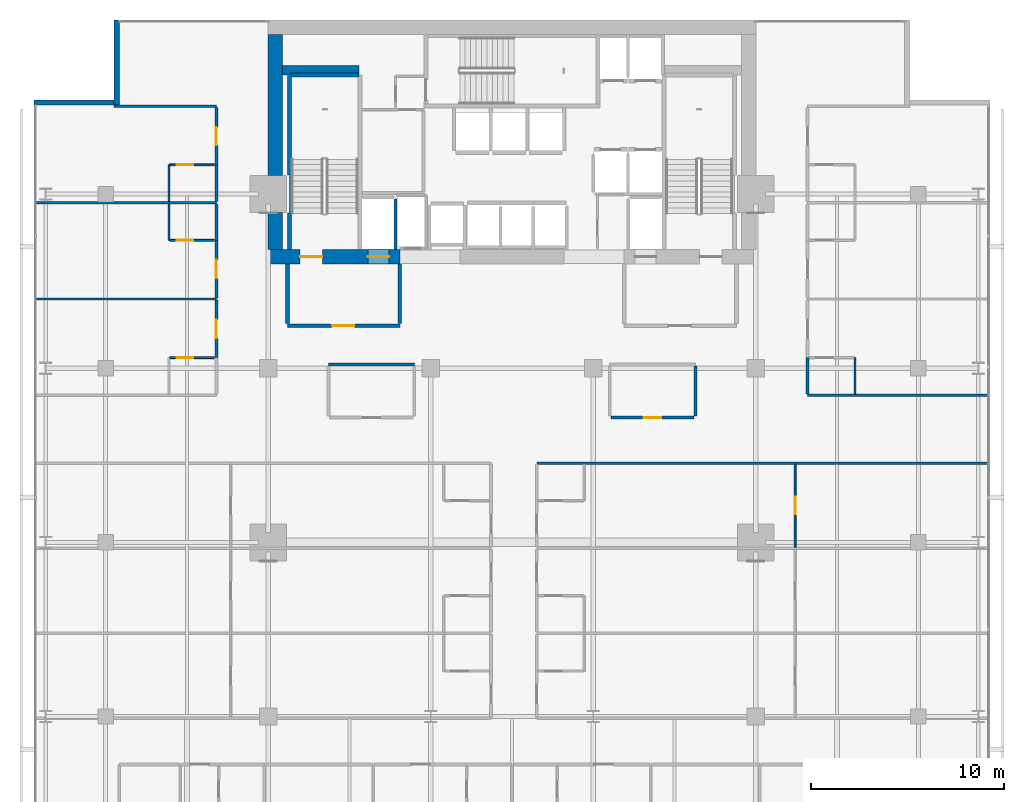
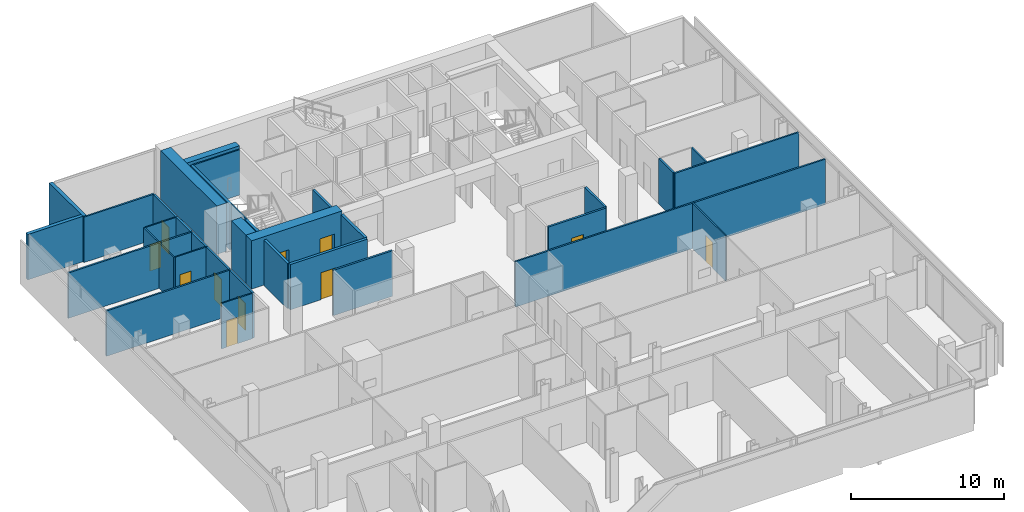
# One storey, part 29 of 34: 35 walls, 11 doors, 11 openings.
"""IFC4 building model written with IfcOpenShell, lengths in metres."""

from ifc_helpers import new_model, si_unit, direction, frame, frame_2d, origin, place, context, subcontext, project, spatial, rectangle, extrude, material, layer, layer_set, type_object, element, fill, save


model = new_model("IFC4")

# Units and contexts
model_context = context("Model", 3, precision=1e-05, world=origin(), true_north=direction((0.0, 1.0)))
body_context = subcontext(model_context, "Body", "Model", "MODEL_VIEW")
ifc_project = project(units=[si_unit("LENGTHUNIT", "METRE"), si_unit("AREAUNIT", "SQUARE_METRE"), si_unit("VOLUMEUNIT", "CUBIC_METRE"), si_unit("PLANEANGLEUNIT", "RADIAN"), si_unit("MASSUNIT", "GRAM", prefix="KILO")], contexts=[model_context])

# Site, building, storey
site_placement = place(None, origin())
site = spatial("IfcSite", under=ifc_project, at=site_placement, CompositionType="ELEMENT")
building_placement = place(site_placement, origin())
building = spatial("IfcBuilding", under=site, at=building_placement, Name="Maruvema Waterfront Hotel and Observation Tower", CompositionType="ELEMENT")
storey_placement = place(building_placement, frame((0.0, 0.0, 212.10009765625)))
storey = spatial("IfcBuildingStorey", under=building, at=storey_placement, Name="L52", CompositionType="ELEMENT", Elevation=212.10009765625)

# Walls
ifc_material_1 = material(Name="Twin-stud acoustic gypsum drywall", Category="gypsum")
ifc_layer_1 = layer(ifc_material_1, 0.14990234375, Name="Acoustic Corridor and Suite Demising Wall 150 mm")
ifc_layer_set_1 = layer_set([ifc_layer_1], Name="Twin-stud acoustic gypsum drywall")
wall_type_1 = type_object("IfcWallType", Name="Acoustic Corridor and Suite Demising Wall 150 mm", PredefinedType="PARTITIONING", material=ifc_layer_set_1)
wall_1_placement = place(storey_placement, frame((28.320068359375, 36.199951171875, 0.0), z_axis=(0.0, 0.0, 1.0), x_axis=(1.0, 0.0, 0.0)))
element("IfcWall", 1, at=wall_1_placement, inside=storey, type_object=wall_type_1, Name="L52 L52-M1 Back Wall 017", PredefinedType="PARTITIONING", context=body_context, shape_type="SweptSolid", body=[
    extrude(rectangle(XDim=4.429931640625, YDim=0.14990234375, at=frame_2d((2.21484375, 0.0))), origin(), (0.0, 0.0, 1.0), 3.60986328125),
])
wall_2_placement = place(storey_placement, frame((47.280029296875, 33.530029296875, 0.0), z_axis=(0.0, 0.0, 1.0), x_axis=(0.0, 1.0, 0.0)))
element("IfcWall", 2, at=wall_2_placement, inside=storey, type_object=wall_type_1, Name="L52 L52-M2 East Wall 023", PredefinedType="PARTITIONING", context=body_context, shape_type="SweptSolid", body=[
    extrude(rectangle(XDim=2.590087890625, YDim=0.14990234375, at=frame_2d((1.294921875, 0.0))), origin(), (0.0, 0.0, 1.0), 3.60986328125),
])

# Wall, opening, door
wall_3_placement = place(storey_placement, frame((42.909912109375, 33.449951171875, 0.0), z_axis=(0.0, 0.0, 1.0), x_axis=(1.0, 0.0, 0.0)))
wall_3 = element("IfcWall", 3, at=wall_3_placement, inside=storey, type_object=wall_type_1, Name="L52 L52-M2 Front 1 024", PredefinedType="PARTITIONING", context=body_context, shape_type="SweptSolid", body=[
    extrude(rectangle(XDim=4.31005859375, YDim=0.14990234375, at=frame_2d((2.155029296875, 0.0))), origin(), (0.0, 0.0, 1.0), 3.60986328125),
])
opening_1_placement = place(wall_3_placement, frame((1.705078125, 0.0, 0.0)))
opening_1 = element("IfcOpeningElement", 4, at=opening_1_placement, cuts=wall_3, Name="Opening DR-090", PredefinedType="OPENING", context=body_context, shape_type="SweptSolid", body=[
    extrude(rectangle(XDim=0.89990234375, YDim=2.10009765625, at=frame_2d((0.449951171875, 1.050048828125))), frame((0.0, 0.0849609375, 0.0), z_axis=(0.0, -1.0, 0.0), x_axis=(1.0, 0.0, 0.0)), (0.0, 0.0, 1.0), 0.169921875),
])
ifc_material_2 = material(Name="Solid-core lacquered timber leaf", Category="wood")
door_type_1 = type_object("IfcDoorType", Name="Accessible Toilet and Room Door 900x2100 mm", OperationType="NOTDEFINED", PredefinedType="DOOR", material=ifc_material_2)
door_1_placement = place(opening_1_placement, frame((0.89990234375, 0.0, 0.0), z_axis=(0.0, 0.0, 1.0), x_axis=(-1.0, 0.0, 0.0)))
door_1 = element("IfcDoor", 5, at=door_1_placement, inside=storey, type_object=door_type_1, Name="L52 Catering Kitchen Door", OperationType="SINGLE_SWING_RIGHT", OverallHeight=2.10009765625, OverallWidth=0.89990234375, PredefinedType="DOOR", context=body_context, shape_type="SweptSolid", body=[
    extrude(rectangle(XDim=0.89990234375, YDim=2.10009765625, at=frame_2d((0.449951171875, 1.050048828125))), frame((0.0, 0.02490234375, 0.0), z_axis=(0.0, -1.0, 0.0), x_axis=(1.0, 0.0, 0.0)), (0.0, 0.0, 1.0), 0.050048828125),
])
fill(opening_1, door_1)

wall_4_placement = place(storey_placement, frame((22.52001953125, 36.550048828125, 0.0), z_axis=(0.0, 0.0, 1.0), x_axis=(0.0, 1.0, 0.0)))
wall_4 = element("IfcWall", 6, at=wall_4_placement, inside=storey, type_object=wall_type_1, Name="L52 Room L52-NW1 Corridor Wall 097", PredefinedType="PARTITIONING", context=body_context, shape_type="SweptSolid", body=[
    extrude(rectangle(XDim=2.96923828125, YDim=0.14990234375, at=frame_2d((1.484619140625, 0.0))), origin(), (0.0, 0.0, 1.0), 3.60986328125),
])
opening_2_placement = place(wall_4_placement, frame((1.009521484375, 0.0, 0.0)))
opening_2 = element("IfcOpeningElement", 7, at=opening_2_placement, cuts=wall_4, Name="Opening DR-095", PredefinedType="OPENING", context=body_context, shape_type="SweptSolid", body=[
    extrude(rectangle(XDim=0.949951171875, YDim=2.14990234375, at=frame_2d((0.47509765625, 1.074951171875))), frame((0.0, 0.0849609375, 0.0), z_axis=(0.0, -1.0, 0.0), x_axis=(1.0, 0.0, 0.0)), (0.0, 0.0, 1.0), 0.169921875),
])
ifc_material_3 = material(Name="Acoustic solid-core hardwood timber leaf", Category="wood")
door_type_2 = type_object("IfcDoorType", Name="Guestroom Entrance Fire Door 950x2150 mm", OperationType="NOTDEFINED", PredefinedType="DOOR", material=ifc_material_3)
door_2_placement = place(opening_2_placement, origin())
door_2 = element("IfcDoor", 8, at=door_2_placement, inside=storey, type_object=door_type_2, Name="L52 Room L52-NW1 Entrance Door", OperationType="SINGLE_SWING_RIGHT", OverallHeight=2.14990234375, OverallWidth=0.949951171875, PredefinedType="DOOR", context=body_context, shape_type="SweptSolid", body=[
    extrude(rectangle(XDim=0.949951171875, YDim=2.14990234375, at=frame_2d((0.47509765625, 1.074951171875))), frame((0.0, 0.02490234375, 0.0), z_axis=(0.0, -1.0, 0.0), x_axis=(1.0, 0.0, 0.0)), (0.0, 0.0, 1.0), 0.050048828125),
])
fill(opening_2, door_2)

# Wall
wall_5_placement = place(storey_placement, frame((53.080078125, 34.659912109375, 0.0), z_axis=(0.0, 0.0, 1.0), x_axis=(0.0, 1.0, 0.0)))
element("IfcWall", 9, at=wall_5_placement, inside=storey, type_object=wall_type_1, Name="L52 Bath L52-NE1 Wall 100", PredefinedType="PARTITIONING", context=body_context, shape_type="SweptSolid", body=[
    extrude(rectangle(XDim=1.89013671875, YDim=0.14990234375, at=frame_2d((0.945068359375, 0.0))), origin(), (0.0, 0.0, 1.0), 3.60986328125),
])

# Wall, opening, door
wall_6_placement = place(storey_placement, frame((22.52001953125, 39.63916015625, 0.0), z_axis=(0.0, 0.0, 1.0), x_axis=(0.0, 1.0, 0.0)))
wall_6 = element("IfcWall", 10, at=wall_6_placement, inside=storey, type_object=wall_type_1, Name="L52 Room L52-NW2 Corridor Wall 106", PredefinedType="PARTITIONING", context=body_context, shape_type="SweptSolid", body=[
    extrude(rectangle(XDim=2.96923828125, YDim=0.14990234375, at=frame_2d((1.484619140625, 0.0))), origin(), (0.0, 0.0, 1.0), 3.60986328125),
])
opening_3_placement = place(wall_6_placement, frame((1.009521484375, 0.0, 0.0)))
opening_3 = element("IfcOpeningElement", 11, at=opening_3_placement, cuts=wall_6, Name="Opening DR-095", PredefinedType="OPENING", context=body_context, shape_type="SweptSolid", body=[
    extrude(rectangle(XDim=0.949951171875, YDim=2.14990234375, at=frame_2d((0.47509765625, 1.074951171875))), frame((0.0, 0.0849609375, 0.0), z_axis=(0.0, -1.0, 0.0), x_axis=(1.0, 0.0, 0.0)), (0.0, 0.0, 1.0), 0.169921875),
])
door_3_placement = place(opening_3_placement, origin())
door_3 = element("IfcDoor", 12, at=door_3_placement, inside=storey, type_object=door_type_2, Name="L52 Room L52-NW2 Entrance Door", OperationType="SINGLE_SWING_RIGHT", OverallHeight=2.14990234375, OverallWidth=0.949951171875, PredefinedType="DOOR", context=body_context, shape_type="SweptSolid", body=[
    extrude(rectangle(XDim=0.949951171875, YDim=2.14990234375, at=frame_2d((0.47509765625, 1.074951171875))), frame((0.0, 0.02490234375, 0.0), z_axis=(0.0, -1.0, 0.0), x_axis=(1.0, 0.0, 0.0)), (0.0, 0.0, 1.0), 0.050048828125),
])
fill(opening_3, door_3)

# Walls
for number, where, z_axis, x_axis, name in (
    (13, (22.52001953125, 42.6083984375, 0.0), (0.0, 0.0, 1.0), (0.0, 1.0, 0.0), "L52 Bath L52-NW2 Wall 107"),
    (14, (22.52001953125, 44.618408203125, 0.0), (0.0, 0.0, 1.0), (0.0, 1.0, 0.0), "L52 Bath L52-NW3 Wall 116"),
):
    element("IfcWall", number, at=place(storey_placement, frame(where, z_axis=z_axis, x_axis=x_axis)), inside=storey, type_object=wall_type_1, Name=name, PredefinedType="PARTITIONING", context=body_context, shape_type="SweptSolid", body=[
        extrude(rectangle(XDim=1.889892578125, YDim=0.14990234375, at=frame_2d((0.94482421875, 0.0))), origin(), (0.0, 0.0, 1.0), 3.60986328125),
    ])

# Wall, opening, door
wall_7_placement = place(storey_placement, frame((22.52001953125, 46.50830078125, 0.0), z_axis=(0.0, 0.0, 1.0), x_axis=(0.0, 1.0, 0.0)))
wall_7 = element("IfcWall", 15, at=wall_7_placement, inside=storey, type_object=wall_type_1, Name="L52 Room L52-NW3 Corridor Wall 117", PredefinedType="PARTITIONING", context=body_context, shape_type="SweptSolid", body=[
    extrude(rectangle(XDim=2.96923828125, YDim=0.14990234375, at=frame_2d((1.484619140625, 0.0))), origin(), (0.0, 0.0, 1.0), 3.60986328125),
])
opening_4_placement = place(wall_7_placement, frame((1.009521484375, 0.0, 0.0)))
opening_4 = element("IfcOpeningElement", 16, at=opening_4_placement, cuts=wall_7, Name="Opening DR-095", PredefinedType="OPENING", context=body_context, shape_type="SweptSolid", body=[
    extrude(rectangle(XDim=0.949951171875, YDim=2.14990234375, at=frame_2d((0.47509765625, 1.074951171875))), frame((0.0, 0.0849609375, 0.0), z_axis=(0.0, -1.0, 0.0), x_axis=(1.0, 0.0, 0.0)), (0.0, 0.0, 1.0), 0.169921875),
])
door_4_placement = place(opening_4_placement, origin())
door_4 = element("IfcDoor", 17, at=door_4_placement, inside=storey, type_object=door_type_2, Name="L52 Room L52-NW3 Entrance Door", OperationType="SINGLE_SWING_RIGHT", OverallHeight=2.14990234375, OverallWidth=0.949951171875, PredefinedType="DOOR", context=body_context, shape_type="SweptSolid", body=[
    extrude(rectangle(XDim=0.949951171875, YDim=2.14990234375, at=frame_2d((0.47509765625, 1.074951171875))), frame((0.0, 0.02490234375, 0.0), z_axis=(0.0, -1.0, 0.0), x_axis=(1.0, 0.0, 0.0)), (0.0, 0.0, 1.0), 0.050048828125),
])
fill(opening_4, door_4)

# Walls
ifc_material_4 = material(Name="Precast concrete C45/55", Category="concrete")
ifc_layer_2 = layer(ifc_material_4, 0.199951171875, Name="Core Shaft and Stairwell Enclosure Wall 200 mm")
ifc_layer_set_2 = layer_set([ifc_layer_2], Name="Precast concrete C45/55")
wall_type_2 = type_object("IfcWallType", Name="Core Shaft and Stairwell Enclosure Wall 200 mm", PredefinedType="SOLIDWALL", material=ifc_layer_set_2)
wall_8_placement = place(storey_placement, frame((26.300048828125, 42.14990234375, 0.0), z_axis=(0.0, 0.0, 1.0), x_axis=(0.0, 1.0, 0.0)))
element("IfcWall", 18, at=wall_8_placement, inside=storey, type_object=wall_type_2, Name="L52 Stairwell ST-01 Shaft Lining Wall", PredefinedType="SOLIDWALL", context=body_context, shape_type="SweptSolid", body=[
    extrude(rectangle(XDim=1.8701171875, YDim=0.199951171875, at=frame_2d((0.93505859375, 0.0))), origin(), (0.0, 0.0, 1.0), 3.60986328125),
])
wall_9_placement = place(storey_placement, frame((26.300048828125, 45.97998046875, 0.0), z_axis=(0.0, 0.0, 1.0), x_axis=(0.0, 1.0, 0.0)))
element("IfcWall", 19, at=wall_9_placement, inside=storey, type_object=wall_type_2, Name="L52 Stairwell ST-01 Shaft Lining Wall", PredefinedType="SOLIDWALL", context=body_context, shape_type="SweptSolid", body=[
    extrude(rectangle(XDim=5.14013671875, YDim=0.199951171875, at=frame_2d((2.570068359375, 0.0))), origin(), (0.0, 0.0, 1.0), 3.60986328125),
])
wall_10_placement = place(storey_placement, frame((26.3798828125, 51.14990234375, 0.0), z_axis=(0.0, 0.0, 1.0), x_axis=(1.0, 0.0, 0.0)))
element("IfcWall", 20, at=wall_10_placement, inside=storey, type_object=wall_type_2, Name="L52 Stairwell ST-01 Shaft Lining Wall", PredefinedType="SOLIDWALL", context=body_context, shape_type="SweptSolid", body=[
    extrude(rectangle(XDim=3.5, YDim=0.199951171875, at=frame_2d((1.75, 0.0))), origin(), (0.0, 0.0, 1.0), 3.60986328125),
])
ifc_material_5 = material(Name="Concrete C70/85", Category="concrete")
ifc_layer_3 = layer(ifc_material_5, 0.5, Name="Core Shear Wall 500 mm")
ifc_layer_set_3 = layer_set([ifc_layer_3], Name="Concrete C70/85")
wall_type_3 = type_object("IfcWallType", Name="Core Shear Wall 500 mm", PredefinedType="SHEAR", material=ifc_layer_set_3)
wall_11_placement = place(storey_placement, frame((25.949951171875, 51.39990234375, 0.0), z_axis=(0.0, 0.0, 1.0), x_axis=(1.0, 0.0, 0.0)))
element("IfcWall", 21, at=wall_11_placement, inside=storey, type_object=wall_type_3, Name="L52 Internal Core Shear Wall NW 500 mm", PredefinedType="SHEAR", context=body_context, shape_type="SweptSolid", body=[
    extrude(rectangle(XDim=3.949951171875, YDim=0.5, at=frame_2d((1.97509765625, 0.0))), origin(), (0.0, 0.0, 1.0), 3.849853515625),
])

# Wall, openings, doors
ifc_material_6 = material(Name="Concrete C70/85", Category="concrete")
ifc_layer_4 = layer(ifc_material_6, 0.75, Name="Core Shear Wall 750 mm")
ifc_layer_set_4 = layer_set([ifc_layer_4], Name="Concrete C70/85")
wall_type_4 = type_object("IfcWallType", Name="Core Shear Wall 750 mm", PredefinedType="SHEAR", material=ifc_layer_set_4)
wall_12_placement = place(storey_placement, frame((25.199951171875, 41.77490234375, 0.0), z_axis=(0.0, 0.0, 1.0), x_axis=(1.0, 0.0, 0.0)))
wall_12 = element("IfcWall", 22, at=wall_12_placement, inside=storey, type_object=wall_type_4, Name="L52 South-West Core Shear Wall", PredefinedType="SHEAR", context=body_context, shape_type="SweptSolid", body=[
    extrude(rectangle(XDim=6.800048828125, YDim=0.75, at=frame_2d((3.39990234375, 0.0))), origin(), (0.0, 0.0, 1.0), 3.849853515625),
])
opening_5_placement = place(wall_12_placement, frame((1.64990234375, 0.0, 0.0)))
opening_5 = element("IfcOpeningElement", 23, at=opening_5_placement, cuts=wall_12, Name="Opening SD-01", PredefinedType="OPENING", context=body_context, shape_type="SweptSolid", body=[
    extrude(rectangle(XDim=1.14990234375, YDim=2.14990234375, at=frame_2d((0.574951171875, 1.074951171875))), frame((0.0, 0.385009765625, 0.0), z_axis=(0.0, -1.0, 0.0), x_axis=(1.0, 0.0, 0.0)), (0.0, 0.0, 1.0), 0.77001953125),
])
opening_6_placement = place(wall_12_placement, frame((5.14990234375, 0.0, 0.0)))
opening_6 = element("IfcOpeningElement", 24, at=opening_6_placement, cuts=wall_12, Name="Opening LD-03", PredefinedType="OPENING", context=body_context, shape_type="SweptSolid", body=[
    extrude(rectangle(XDim=1.10009765625, YDim=2.199951171875, at=frame_2d((0.550048828125, 1.10009765625))), frame((0.0, 0.385009765625, 0.0), z_axis=(0.0, -1.0, 0.0), x_axis=(1.0, 0.0, 0.0)), (0.0, 0.0, 1.0), 0.77001953125),
])
ifc_material_7 = material(Name="Fire-rated galvanised steel leaf", Category="steel")
door_type_3 = type_object("IfcDoorType", Name="Exit Stair Fire Door 1150x2150 mm", OperationType="NOTDEFINED", PredefinedType="DOOR", material=ifc_material_7)
door_5_placement = place(opening_5_placement, origin())
door_5 = element("IfcDoor", 25, at=door_5_placement, inside=storey, type_object=door_type_3, Name="L52 Exit Stair ST-01 Fire Door", OperationType="SINGLE_SWING_LEFT", OverallHeight=2.14990234375, OverallWidth=1.14990234375, PredefinedType="DOOR", context=body_context, shape_type="SweptSolid", body=[
    extrude(rectangle(XDim=1.14990234375, YDim=2.14990234375, at=frame_2d((0.574951171875, 1.074951171875))), frame((0.0, 0.02490234375, 0.0), z_axis=(0.0, -1.0, 0.0), x_axis=(1.0, 0.0, 0.0)), (0.0, 0.0, 1.0), 0.050048828125),
])
fill(opening_5, door_5)
ifc_material_8 = material(Name="Brushed stainless steel Grade 316", Category="steel")
door_type_4 = type_object("IfcDoorType", Name="Firefighting Lift Sliding Landing Door 1100x2200 mm", OperationType="SLIDING_TO_LEFT", PredefinedType="DOOR", material=ifc_material_8)
door_6_placement = place(opening_6_placement, frame((1.10009765625, 0.0, 0.0), z_axis=(0.0, 0.0, 1.0), x_axis=(-1.0, 0.0, 0.0)))
door_6 = element("IfcDoor", 26, at=door_6_placement, inside=storey, type_object=door_type_4, Name="L52 Firefighting Lift FL-01 Landing Door", OperationType="SLIDING_TO_LEFT", OverallHeight=2.199951171875, OverallWidth=1.10009765625, PredefinedType="DOOR", context=body_context, shape_type="SweptSolid", body=[
    extrude(rectangle(XDim=1.10009765625, YDim=2.199951171875, at=frame_2d((0.550048828125, 1.10009765625))), frame((0.0, 0.02490234375, 0.0), z_axis=(0.0, -1.0, 0.0), x_axis=(1.0, 0.0, 0.0)), (0.0, 0.0, 1.0), 0.050048828125),
])
fill(opening_6, door_6)

# Walls
wall_13_placement = place(storey_placement, frame((25.574951171875, 42.14990234375, 0.0), z_axis=(0.0, 0.0, 1.0), x_axis=(0.0, 1.0, 0.0)))
element("IfcWall", 27, at=wall_13_placement, inside=storey, type_object=wall_type_4, Name="L52 West-South Core Shear Wall", PredefinedType="SHEAR", context=body_context, shape_type="SweptSolid", body=[
    extrude(rectangle(XDim=1.900146484375, YDim=0.75, at=frame_2d((0.9501953125, 0.0))), origin(), (0.0, 0.0, 1.0), 3.849853515625),
])
wall_14_placement = place(storey_placement, frame((25.574951171875, 45.949951171875, 0.0), z_axis=(0.0, 0.0, 1.0), x_axis=(0.0, 1.0, 0.0)))
element("IfcWall", 28, at=wall_14_placement, inside=storey, type_object=wall_type_4, Name="L52 West-North Core Shear Wall", PredefinedType="SHEAR", context=body_context, shape_type="SweptSolid", body=[
    extrude(rectangle(XDim=7.300048828125, YDim=0.75, at=frame_2d((3.64990234375, 0.0))), origin(), (0.0, 0.0, 1.0), 3.849853515625),
])

# Wall, opening, door
ifc_material_9 = material(Name="Moisture-resistant cement-board drywall", Category="gypsum")
ifc_layer_5 = layer(ifc_material_9, 0.10009765625, Name="En-Suite Moisture-Resistant Partition 100 mm")
ifc_layer_set_5 = layer_set([ifc_layer_5], Name="Moisture-resistant cement-board drywall")
wall_type_5 = type_object("IfcWallType", Name="En-Suite Moisture-Resistant Partition 100 mm", PredefinedType="PARTITIONING", material=ifc_layer_set_5)
wall_15_placement = place(storey_placement, frame((52.434326171875, 26.760009765625, 0.0), z_axis=(0.0, 0.0, 1.0), x_axis=(0.0, 1.0, 0.0)))
wall_15 = element("IfcWall", 29, at=wall_15_placement, inside=storey, type_object=wall_type_5, Name="L52 Suite L52-E3 Split 091", PredefinedType="PARTITIONING", context=body_context, shape_type="SweptSolid", body=[
    extrude(rectangle(XDim=4.280029296875, YDim=0.10009765625, at=frame_2d((2.14013671875, 0.0))), origin(), (0.0, 0.0, 1.0), 3.60986328125),
])
opening_7_placement = place(wall_15_placement, frame((1.68994140625, 0.0, 0.0)))
opening_7 = element("IfcOpeningElement", 30, at=opening_7_placement, cuts=wall_15, Name="Opening DR-090", PredefinedType="OPENING", context=body_context, shape_type="SweptSolid", body=[
    extrude(rectangle(XDim=0.89990234375, YDim=2.10009765625, at=frame_2d((0.449951171875, 1.050048828125))), frame((0.0, 0.06005859375, 0.0), z_axis=(0.0, -1.0, 0.0), x_axis=(1.0, 0.0, 0.0)), (0.0, 0.0, 1.0), 0.1201171875),
])
door_7_placement = place(opening_7_placement, frame((0.89990234375, 0.0, 0.0), z_axis=(0.0, 0.0, 1.0), x_axis=(-1.0, 0.0, 0.0)))
door_7 = element("IfcDoor", 31, at=door_7_placement, inside=storey, type_object=door_type_1, Name="L52 Suite L52-E3 Bedroom Door", OperationType="SINGLE_SWING_RIGHT", OverallHeight=2.10009765625, OverallWidth=0.89990234375, PredefinedType="DOOR", context=body_context, shape_type="SweptSolid", body=[
    extrude(rectangle(XDim=0.89990234375, YDim=2.10009765625, at=frame_2d((0.449951171875, 1.050048828125))), frame((0.0, 0.02490234375, 0.0), z_axis=(0.0, -1.0, 0.0), x_axis=(1.0, 0.0, 0.0)), (0.0, 0.0, 1.0), 0.050048828125),
])
fill(opening_7, door_7)

wall_16_placement = place(storey_placement, frame((20.1201171875, 36.550048828125, 0.0), z_axis=(0.0, 0.0, 1.0), x_axis=(1.0, 0.0, 0.0)))
wall_16 = element("IfcWall", 32, at=wall_16_placement, inside=storey, type_object=wall_type_5, Name="L52 En-Suite L52-NW1 N 099", PredefinedType="PARTITIONING", context=body_context, shape_type="SweptSolid", body=[
    extrude(rectangle(XDim=2.2998046875, YDim=0.10009765625, at=frame_2d((1.14990234375, 0.0))), origin(), (0.0, 0.0, 1.0), 3.60986328125),
])
opening_8_placement = place(wall_16_placement, frame((0.35009765625, 0.0, 0.0)))
opening_8 = element("IfcOpeningElement", 33, at=opening_8_placement, cuts=wall_16, Name="Opening DR-085", PredefinedType="OPENING", context=body_context, shape_type="SweptSolid", body=[
    extrude(rectangle(XDim=0.85009765625, YDim=2.10009765625, at=frame_2d((0.425048828125, 1.050048828125))), frame((0.0, 0.06005859375, 0.0), z_axis=(0.0, -1.0, 0.0), x_axis=(1.0, 0.0, 0.0)), (0.0, 0.0, 1.0), 0.1201171875),
])
ifc_material_10 = material(Name="Moisture-resistant solid timber leaf", Category="wood")
door_type_5 = type_object("IfcDoorType", Name="En-Suite Bathroom Door 850x2100 mm", OperationType="NOTDEFINED", PredefinedType="DOOR", material=ifc_material_10)
door_8_placement = place(opening_8_placement, origin())
door_8 = element("IfcDoor", 34, at=door_8_placement, inside=storey, type_object=door_type_5, Name="L52 En-Suite L52-NW1 Door", OperationType="SINGLE_SWING_LEFT", OverallHeight=2.10009765625, OverallWidth=0.85009765625, PredefinedType="DOOR", context=body_context, shape_type="SweptSolid", body=[
    extrude(rectangle(XDim=0.85009765625, YDim=2.10009765625, at=frame_2d((0.425048828125, 1.050048828125))), frame((0.0, 0.02490234375, 0.0), z_axis=(0.0, -1.0, 0.0), x_axis=(1.0, 0.0, 0.0)), (0.0, 0.0, 1.0), 0.050048828125),
])
fill(opening_8, door_8)

# Walls
wall_17_placement = place(storey_placement, frame((55.530029296875, 34.659912109375, 0.0), z_axis=(0.0, 0.0, 1.0), x_axis=(0.0, 1.0, 0.0)))
element("IfcWall", 35, at=wall_17_placement, inside=storey, type_object=wall_type_5, Name="L52 En-Suite L52-NE1 E 102", PredefinedType="PARTITIONING", context=body_context, shape_type="SweptSolid", body=[
    extrude(rectangle(XDim=1.89013671875, YDim=0.10009765625, at=frame_2d((0.945068359375, 0.0))), origin(), (0.0, 0.0, 1.0), 3.60986328125),
])
wall_18_placement = place(storey_placement, frame((20.070068359375, 42.6083984375, 0.0), z_axis=(0.0, 0.0, 1.0), x_axis=(0.0, 1.0, 0.0)))
element("IfcWall", 36, at=wall_18_placement, inside=storey, type_object=wall_type_5, Name="L52 En-Suite L52-NW2 W 108", PredefinedType="PARTITIONING", context=body_context, shape_type="SweptSolid", body=[
    extrude(rectangle(XDim=1.889892578125, YDim=0.10009765625, at=frame_2d((0.94482421875, 0.0))), origin(), (0.0, 0.0, 1.0), 3.60986328125),
])

# Wall, opening, door
wall_19_placement = place(storey_placement, frame((20.1201171875, 42.6083984375, 0.0), z_axis=(0.0, 0.0, 1.0), x_axis=(1.0, 0.0, 0.0)))
wall_19 = element("IfcWall", 37, at=wall_19_placement, inside=storey, type_object=wall_type_5, Name="L52 En-Suite L52-NW2 S 109", PredefinedType="PARTITIONING", context=body_context, shape_type="SweptSolid", body=[
    extrude(rectangle(XDim=2.2998046875, YDim=0.10009765625, at=frame_2d((1.14990234375, 0.0))), origin(), (0.0, 0.0, 1.0), 3.60986328125),
])
opening_9_placement = place(wall_19_placement, frame((0.35009765625, 0.0, 0.0)))
opening_9 = element("IfcOpeningElement", 38, at=opening_9_placement, cuts=wall_19, Name="Opening DR-085", PredefinedType="OPENING", context=body_context, shape_type="SweptSolid", body=[
    extrude(rectangle(XDim=0.85009765625, YDim=2.10009765625, at=frame_2d((0.425048828125, 1.050048828125))), frame((0.0, 0.06005859375, 0.0), z_axis=(0.0, -1.0, 0.0), x_axis=(1.0, 0.0, 0.0)), (0.0, 0.0, 1.0), 0.1201171875),
])
door_9_placement = place(opening_9_placement, frame((0.85009765625, 0.0, 0.0), z_axis=(0.0, 0.0, 1.0), x_axis=(-1.0, 0.0, 0.0)))
door_9 = element("IfcDoor", 39, at=door_9_placement, inside=storey, type_object=door_type_5, Name="L52 En-Suite L52-NW2 Door", OperationType="SINGLE_SWING_LEFT", OverallHeight=2.10009765625, OverallWidth=0.85009765625, PredefinedType="DOOR", context=body_context, shape_type="SweptSolid", body=[
    extrude(rectangle(XDim=0.85009765625, YDim=2.10009765625, at=frame_2d((0.425048828125, 1.050048828125))), frame((0.0, 0.02490234375, 0.0), z_axis=(0.0, -1.0, 0.0), x_axis=(1.0, 0.0, 0.0)), (0.0, 0.0, 1.0), 0.050048828125),
])
fill(opening_9, door_9)

# Wall
wall_20_placement = place(storey_placement, frame((20.070068359375, 44.618408203125, 0.0), z_axis=(0.0, 0.0, 1.0), x_axis=(0.0, 1.0, 0.0)))
element("IfcWall", 40, at=wall_20_placement, inside=storey, type_object=wall_type_5, Name="L52 En-Suite L52-NW3 W 118", PredefinedType="PARTITIONING", context=body_context, shape_type="SweptSolid", body=[
    extrude(rectangle(XDim=1.889892578125, YDim=0.10009765625, at=frame_2d((0.94482421875, 0.0))), origin(), (0.0, 0.0, 1.0), 3.60986328125),
])

# Wall, opening, door
wall_21_placement = place(storey_placement, frame((20.1201171875, 46.50830078125, 0.0), z_axis=(0.0, 0.0, 1.0), x_axis=(1.0, 0.0, 0.0)))
wall_21 = element("IfcWall", 41, at=wall_21_placement, inside=storey, type_object=wall_type_5, Name="L52 En-Suite L52-NW3 N 119", PredefinedType="PARTITIONING", context=body_context, shape_type="SweptSolid", body=[
    extrude(rectangle(XDim=2.2998046875, YDim=0.10009765625, at=frame_2d((1.14990234375, 0.0))), origin(), (0.0, 0.0, 1.0), 3.60986328125),
])
opening_10_placement = place(wall_21_placement, frame((0.35009765625, 0.0, 0.0)))
opening_10 = element("IfcOpeningElement", 42, at=opening_10_placement, cuts=wall_21, Name="Opening DR-085", PredefinedType="OPENING", context=body_context, shape_type="SweptSolid", body=[
    extrude(rectangle(XDim=0.85009765625, YDim=2.10009765625, at=frame_2d((0.425048828125, 1.050048828125))), frame((0.0, 0.06005859375, 0.0), z_axis=(0.0, -1.0, 0.0), x_axis=(1.0, 0.0, 0.0)), (0.0, 0.0, 1.0), 0.1201171875),
])
door_10_placement = place(opening_10_placement, origin())
door_10 = element("IfcDoor", 43, at=door_10_placement, inside=storey, type_object=door_type_5, Name="L52 En-Suite L52-NW3 Door", OperationType="SINGLE_SWING_LEFT", OverallHeight=2.10009765625, OverallWidth=0.85009765625, PredefinedType="DOOR", context=body_context, shape_type="SweptSolid", body=[
    extrude(rectangle(XDim=0.85009765625, YDim=2.10009765625, at=frame_2d((0.425048828125, 1.050048828125))), frame((0.0, 0.02490234375, 0.0), z_axis=(0.0, -1.0, 0.0), x_axis=(1.0, 0.0, 0.0)), (0.0, 0.0, 1.0), 0.050048828125),
])
fill(opening_10, door_10)

# Walls
ifc_material_11 = material(Name="Precast concrete C45/55 with honed Pernambuco granite facing", Category="masonry")
ifc_layer_6 = layer(ifc_material_11, 0.260009765625, Name="Exterior Granite Clad Spandrel and Pier Wall 260 mm")
ifc_layer_set_6 = layer_set([ifc_layer_6], Name="Precast concrete C45/55 with honed Pernambuco granite facing")
wall_type_6 = type_object("IfcWallType", Name="Exterior Granite Clad Spandrel and Pier Wall 260 mm", PredefinedType="SOLIDWALL", material=ifc_layer_set_6)
for number, where, z_axis, x_axis, name in (
    (44, (17.3701171875, 49.60009765625, 0.0), (0.0, 0.0, 1.0), (0.0, 1.0, 0.0), "L52 Corner Notch Granite Pier Wall NW1"),
    (45, (13.10009765625, 49.72998046875, 0.0), (0.0, 0.0, 1.0), (1.0, 0.0, 0.0), "L52 Corner Notch Granite Pier Wall NW2"),
):
    element("IfcWall", number, at=place(storey_placement, frame(where, z_axis=z_axis, x_axis=x_axis)), inside=storey, type_object=wall_type_6, Name=name, PredefinedType="SOLIDWALL", context=body_context, shape_type="SweptSolid", body=[
        extrude(rectangle(XDim=4.39990234375, YDim=0.260009765625, at=frame_2d((2.199951171875, 0.0))), origin(), (0.0, 0.0, 1.0), 3.60986328125),
    ])

# Wall, opening, door
ifc_material_12 = material(Name="Autoclaved cellular concrete blockwork", Category="masonry")
ifc_layer_7 = layer(ifc_material_12, 0.199951171875, Name="Fire Compartment Masonry Wall 200 mm")
ifc_layer_set_7 = layer_set([ifc_layer_7], Name="Autoclaved cellular concrete blockwork")
wall_type_7 = type_object("IfcWallType", Name="Fire Compartment Masonry Wall 200 mm", PredefinedType="PARTITIONING", material=ifc_layer_set_7)
wall_22_placement = place(storey_placement, frame((26.199951171875, 38.199951171875, 0.0), z_axis=(0.0, 0.0, 1.0), x_axis=(1.0, 0.0, 0.0)))
wall_22 = element("IfcWall", 46, at=wall_22_placement, inside=storey, type_object=wall_type_7, Name="L52 FFL West South Wall 001", PredefinedType="PARTITIONING", context=body_context, shape_type="SweptSolid", body=[
    extrude(rectangle(XDim=5.800048828125, YDim=0.199951171875, at=frame_2d((2.89990234375, 0.0))), origin(), (0.0, 0.0, 1.0), 3.60986328125),
])
opening_11_placement = place(wall_22_placement, frame((2.300048828125, 0.0, 0.0)))
opening_11 = element("IfcOpeningElement", 47, at=opening_11_placement, cuts=wall_22, Name="Opening FD-115", PredefinedType="OPENING", context=body_context, shape_type="SweptSolid", body=[
    extrude(rectangle(XDim=1.14990234375, YDim=2.14990234375, at=frame_2d((0.574951171875, 1.074951171875))), frame((0.0, 0.10986328125, 0.0), z_axis=(0.0, -1.0, 0.0), x_axis=(1.0, 0.0, 0.0)), (0.0, 0.0, 1.0), 0.219970703125),
])
ifc_material_13 = material(Name="Fire-rated galvanised steel and vision glass", Category="steel")
door_type_6 = type_object("IfcDoorType", Name="Firefighting Lobby Fire Door 1150x2150 mm", OperationType="NOTDEFINED", PredefinedType="DOOR", material=ifc_material_13)
door_11_placement = place(opening_11_placement, frame((1.14990234375, 0.0, 0.0), z_axis=(0.0, 0.0, 1.0), x_axis=(-1.0, 0.0, 0.0)))
door_11 = element("IfcDoor", 48, at=door_11_placement, inside=storey, type_object=door_type_6, Name="L52 Firefighting Lobby West Door", OperationType="SINGLE_SWING_LEFT", OverallHeight=2.14990234375, OverallWidth=1.14990234375, PredefinedType="DOOR", context=body_context, shape_type="SweptSolid", body=[
    extrude(rectangle(XDim=1.14990234375, YDim=2.14990234375, at=frame_2d((0.574951171875, 1.074951171875))), frame((0.0, 0.02490234375, 0.0), z_axis=(0.0, -1.0, 0.0), x_axis=(1.0, 0.0, 0.0)), (0.0, 0.0, 1.0), 0.050048828125),
])
fill(opening_11, door_11)

# Walls
for number, where, z_axis, x_axis, name in (
    (49, (26.199951171875, 38.31005859375, 0.0), (0.0, 0.0, 1.0), (0.0, 1.0, 0.0), "L52 FFL West West Wall 002"),
    (50, (32.0, 38.31005859375, 0.0), (0.0, 0.0, 1.0), (0.0, 1.0, 0.0), "L52 FFL West East Wall 003"),
):
    element("IfcWall", number, at=place(storey_placement, frame(where, z_axis=z_axis, x_axis=x_axis)), inside=storey, type_object=wall_type_7, Name=name, PredefinedType="PARTITIONING", context=body_context, shape_type="SweptSolid", body=[
        extrude(rectangle(XDim=3.06982421875, YDim=0.199951171875, at=frame_2d((1.534912109375, 0.0))), origin(), (0.0, 0.0, 1.0), 3.60986328125),
    ])
ifc_material_14 = material(Name="Acoustic gypsum plasterboard drywall", Category="gypsum")
ifc_layer_8 = layer(ifc_material_14, 0.125, Name="Guestroom Acoustic Demising Wall 125 mm")
ifc_layer_set_8 = layer_set([ifc_layer_8], Name="Acoustic gypsum plasterboard drywall")
wall_type_8 = type_object("IfcWallType", Name="Guestroom Acoustic Demising Wall 125 mm", PredefinedType="PARTITIONING", material=ifc_layer_set_8)
wall_23_placement = place(storey_placement, frame((39.080078125, 31.10009765625, 0.0), z_axis=(0.0, 0.0, 1.0), x_axis=(1.0, 0.0, 0.0)))
element("IfcWall", 51, at=wall_23_placement, inside=storey, type_object=wall_type_8, Name="L52 Z2 E Top End 057", PredefinedType="PARTITIONING", context=body_context, shape_type="SweptSolid", body=[
    extrude(rectangle(XDim=23.31982421875, YDim=0.125, at=frame_2d((11.659912109375, 0.0))), origin(), (0.0, 0.0, 1.0), 3.60986328125),
])
wall_24_placement = place(storey_placement, frame((53.080078125, 34.60009765625, 0.0), z_axis=(0.0, 0.0, 1.0), x_axis=(1.0, 0.0, 0.0)))
element("IfcWall", 52, at=wall_24_placement, inside=storey, type_object=wall_type_8, Name="L52 Z2 NE Bot End 093", PredefinedType="PARTITIONING", context=body_context, shape_type="SweptSolid", body=[
    extrude(rectangle(XDim=9.31982421875, YDim=0.125, at=frame_2d((4.659912109375, 0.0))), origin(), (0.0, 0.0, 1.0), 3.60986328125),
])
wall_25_placement = place(storey_placement, frame((17.239990234375, 49.53759765625, 0.0), z_axis=(0.0, 0.0, 1.0), x_axis=(1.0, 0.0, 0.0)))
element("IfcWall", 53, at=wall_25_placement, inside=storey, type_object=wall_type_8, Name="L52 Z2 NW Top End 094", PredefinedType="PARTITIONING", context=body_context, shape_type="SweptSolid", body=[
    extrude(rectangle(XDim=5.280029296875, YDim=0.125, at=frame_2d((2.64013671875, 0.0))), origin(), (0.0, 0.0, 1.0), 3.60986328125),
])
for number, where, z_axis, x_axis, name in (
    (54, (13.199951171875, 39.5791015625, 0.0), (0.0, 0.0, 1.0), (1.0, 0.0, 0.0), "L52 Z2 NW Demising 2 104"),
    (55, (13.199951171875, 44.558349609375, 0.0), (0.0, 0.0, 1.0), (1.0, 0.0, 0.0), "L52 Z2 NW Demising 3 114"),
):
    element("IfcWall", number, at=place(storey_placement, frame(where, z_axis=z_axis, x_axis=x_axis)), inside=storey, type_object=wall_type_8, Name=name, PredefinedType="PARTITIONING", context=body_context, shape_type="SweptSolid", body=[
        extrude(rectangle(XDim=9.320068359375, YDim=0.125, at=frame_2d((4.66015625, 0.0))), origin(), (0.0, 0.0, 1.0), 3.60986328125),
    ])
ifc_material_15 = material(Name="Precast concrete C45/55", Category="concrete")
ifc_layer_9 = layer(ifc_material_15, 0.159912109375, Name="Lift Hoistway Divider Wall 160 mm")
ifc_layer_set_9 = layer_set([ifc_layer_9], Name="Precast concrete C45/55")
wall_type_9 = type_object("IfcWallType", Name="Lift Hoistway Divider Wall 160 mm", PredefinedType="SOLIDWALL", material=ifc_layer_set_9)
wall_26_placement = place(storey_placement, frame((31.780029296875, 42.14990234375, 0.0), z_axis=(0.0, 0.0, 1.0), x_axis=(0.0, 1.0, 0.0)))
element("IfcWall", 56, at=wall_26_placement, inside=storey, type_object=wall_type_9, Name="L52 Lift FL-01 Inner Hoistway Wall", PredefinedType="SOLIDWALL", context=body_context, shape_type="SweptSolid", body=[
    extrude(rectangle(XDim=2.590087890625, YDim=0.159912109375, at=frame_2d((1.294921875, 0.0))), origin(), (0.0, 0.0, 1.0), 3.60986328125),
])
ifc_material_16 = material(Name="Precast concrete C45/55", Category="concrete")
ifc_layer_10 = layer(ifc_material_16, 0.10009765625, Name="Stairwell Stringer Cheek Wall 100 mm")
ifc_layer_set_10 = layer_set([ifc_layer_10], Name="Precast concrete C45/55")
wall_type_10 = type_object("IfcWallType", Name="Stairwell Stringer Cheek Wall 100 mm", PredefinedType="SOLIDWALL", material=ifc_layer_set_10)
wall_27_placement = place(storey_placement, frame((26.35205078125, 44.0400390625, 0.0), z_axis=(0.0, 0.0, 1.0), x_axis=(0.0, 1.0, 0.0)))
element("IfcWall", 57, at=wall_27_placement, inside=storey, type_object=wall_type_10, Name="L52 Stairwell ST-01 Mega-Column Cheek Wall", PredefinedType="SOLIDWALL", context=body_context, shape_type="SweptSolid", body=[
    extrude(rectangle(XDim=1.919921875, YDim=0.10009765625, at=frame_2d((0.9599609375, 0.0))), origin(), (0.0, 0.0, 1.0), 3.60986328125),
])

save(model, "model.ifc")
